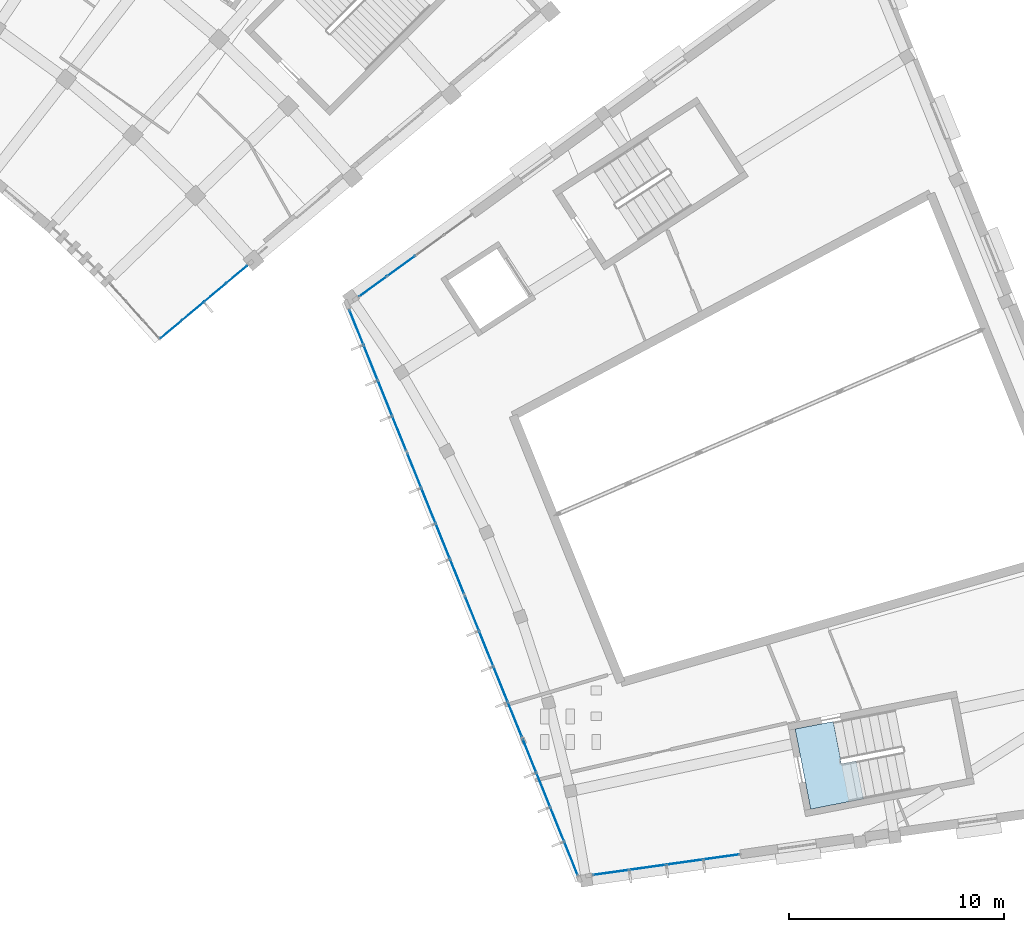
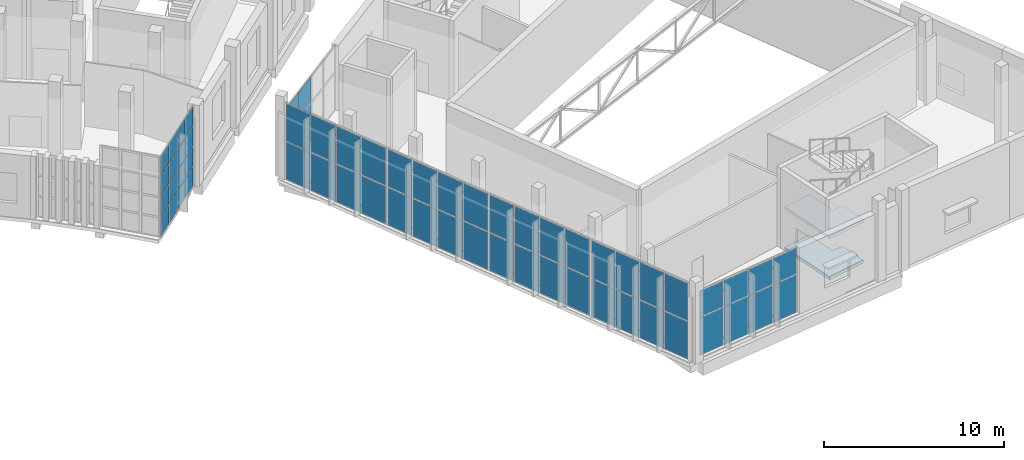
# One storey, part 50 of 112: 60 plates, 2 slabs, 8 elements without a shape of their own.
"""IFC4 building model written with IfcOpenShell, lengths in metres."""

from ifc_helpers import new_model, si_unit, direction, frame, origin, origin_2d, place, context, subcontext, project, spatial, polyline, rectangle, outline, extrude, material, layer, layer_set, type_object, element, aggregate, save


model = new_model("IFC4")

# Units and contexts
model_context = context("Model", 3, precision=1e-05, world=origin(), true_north=direction((0.0, 1.0)))
body_context = subcontext(model_context, "Body", "Model", "MODEL_VIEW")
ifc_project = project(units=[si_unit("LENGTHUNIT", "METRE"), si_unit("AREAUNIT", "SQUARE_METRE"), si_unit("VOLUMEUNIT", "CUBIC_METRE"), si_unit("PLANEANGLEUNIT", "RADIAN"), si_unit("MASSUNIT", "GRAM", prefix="KILO")], contexts=[model_context])

# Site, building, storey
site_placement = place(None, origin())
site = spatial("IfcSite", under=ifc_project, at=site_placement, CompositionType="ELEMENT")
building_placement = place(site_placement, origin())
building = spatial("IfcBuilding", under=site, at=building_placement, Name="Lunette Opera House", CompositionType="ELEMENT")
storey_placement = place(building_placement, frame((0.0, 0.0, 6.0)))
storey = spatial("IfcBuildingStorey", under=building, at=storey_placement, Name="L01", CompositionType="ELEMENT", Elevation=6.0)

# Slab
ifc_material_1 = material(Name="Concrete C35/45", Category="concrete")
ifc_layer_1 = layer(ifc_material_1, 0.219970703125)
ifc_layer_set_1 = layer_set([ifc_layer_1], Name="Concrete C35/45")
slab_type_1 = type_object("IfcSlabType", Name="CORE LANDING SLAB 220", PredefinedType="LANDING", material=ifc_layer_set_1)
slab_1_placement = place(storey_placement, frame((0.0, 0.0, -0.219970703125)))
element("IfcSlab", 1, at=slab_1_placement, inside=storey, type_object=slab_type_1, Name="ST22 floor landing", PredefinedType="LANDING", context=body_context, shape_type="SweptSolid", body=[
    extrude(outline(polyline([(166.35205078125, 11.739990234375), (165.626953125, 15.469970703125), (167.404052734375, 15.81494140625), (167.748046875, 14.048095703125), (167.738037109375, 14.0458984375), (167.77587890625, 13.85009765625), (168.462890625, 13.98388671875), (168.805908203125, 12.217041015625), (166.35205078125, 11.739990234375)])), origin(), (0.0, 0.0, 1.0), 0.219970703125),
])

# Curtain wall, plates
ifc_material_2 = material(Name="Aluminium", Category="aluminium")
ifc_layer_2 = layer(ifc_material_2, 0.159912109375)
ifc_layer_set_2 = layer_set([ifc_layer_2], Name="Aluminium")
curtain_wall_type_1 = type_object("IfcCurtainWallType", Name="CORNER CURTAIN WALL", PredefinedType="NOTDEFINED", material=ifc_layer_set_2)
curtain_wall_1_placement = place(storey_placement, origin())
curtain_wall_1 = element("IfcCurtainWall", 2, at=curtain_wall_1_placement, inside=storey, type_object=curtain_wall_type_1, Name="Corner Curtain Wall GC-E2 L01", PredefinedType="NOTDEFINED")
ifc_material_3 = material(Name="Laminated glass", Category="glass")
ifc_layer_3 = layer(ifc_material_3, 0.028076171875)
ifc_layer_set_3 = layer_set([ifc_layer_3], Name="Laminated glass")
plate_type = type_object("IfcPlateType", Name="CURTAIN PANEL LAMINATED GLASS 28", PredefinedType="CURTAIN_PANEL", material=ifc_layer_set_3)
plate_1_placement = place(storey_placement, frame((136.587646484375, 34.0576171875, 0.06005859375), z_axis=(0.0, 0.0, 1.0), x_axis=(0.766010413212, 0.64282816277, 0.0)))
plate_1 = element("IfcPlate", 3, at=plate_1_placement, type_object=plate_type, Name="FC-X2174 panel 1.1", PredefinedType="CURTAIN_PANEL", context=body_context, shape_type="SweptSolid", body=[
    extrude(rectangle(XDim=1.24755859375, YDim=0.028076171875, at=origin_2d()), origin(), (0.0, 0.0, 1.0), 1.284912109375),
])
plate_2_placement = place(storey_placement, frame((136.587646484375, 34.0576171875, 1.405029296875), z_axis=(0.0, 0.0, 1.0), x_axis=(0.766010413212, 0.64282816277, 0.0)))
plate_2 = element("IfcPlate", 4, at=plate_2_placement, type_object=plate_type, Name="FC-X2174 panel 1.2", PredefinedType="CURTAIN_PANEL", context=body_context, shape_type="SweptSolid", body=[
    extrude(rectangle(XDim=1.24755859375, YDim=0.028076171875, at=origin_2d()), origin(), (0.0, 0.0, 1.0), 1.31494140625),
])
plate_3_placement = place(storey_placement, frame((136.587646484375, 34.0576171875, 2.780029296875), z_axis=(0.0, 0.0, 1.0), x_axis=(0.766010413212, 0.64282816277, 0.0)))
plate_3 = element("IfcPlate", 5, at=plate_3_placement, type_object=plate_type, Name="FC-X2174 panel 1.3", PredefinedType="CURTAIN_PANEL", context=body_context, shape_type="SweptSolid", body=[
    extrude(rectangle(XDim=1.24755859375, YDim=0.028076171875, at=origin_2d()), origin(), (0.0, 0.0, 1.0), 1.31494140625),
])
plate_4_placement = place(storey_placement, frame((136.587646484375, 34.0576171875, 4.1552734375), z_axis=(0.0, 0.0, 1.0), x_axis=(0.766010413212, 0.64282816277, 0.0)))
plate_4 = element("IfcPlate", 6, at=plate_4_placement, type_object=plate_type, Name="FC-X2174 panel 1.4", PredefinedType="CURTAIN_PANEL", context=body_context, shape_type="SweptSolid", body=[
    extrude(rectangle(XDim=1.24755859375, YDim=0.028076171875, at=origin_2d()), origin(), (0.0, 0.0, 1.0), 1.284912109375),
])
plate_5_placement = place(storey_placement, frame((137.600830078125, 34.90771484375, 0.06005859375), z_axis=(0.0, 0.0, 1.0), x_axis=(0.766010413212, 0.64282816277, 0.0)))
plate_5 = element("IfcPlate", 7, at=plate_5_placement, type_object=plate_type, Name="FC-X2174 panel 2.1", PredefinedType="CURTAIN_PANEL", context=body_context, shape_type="SweptSolid", body=[
    extrude(rectangle(XDim=1.27734375, YDim=0.028076171875, at=origin_2d()), origin(), (0.0, 0.0, 1.0), 1.284912109375),
])
plate_6_placement = place(storey_placement, frame((137.600830078125, 34.90771484375, 1.405029296875), z_axis=(0.0, 0.0, 1.0), x_axis=(0.766010413212, 0.64282816277, 0.0)))
plate_6 = element("IfcPlate", 8, at=plate_6_placement, type_object=plate_type, Name="FC-X2174 panel 2.2", PredefinedType="CURTAIN_PANEL", context=body_context, shape_type="SweptSolid", body=[
    extrude(rectangle(XDim=1.27734375, YDim=0.028076171875, at=origin_2d()), origin(), (0.0, 0.0, 1.0), 1.31494140625),
])
plate_7_placement = place(storey_placement, frame((137.600830078125, 34.90771484375, 2.780029296875), z_axis=(0.0, 0.0, 1.0), x_axis=(0.766010413212, 0.64282816277, 0.0)))
plate_7 = element("IfcPlate", 9, at=plate_7_placement, type_object=plate_type, Name="FC-X2174 panel 2.3", PredefinedType="CURTAIN_PANEL", context=body_context, shape_type="SweptSolid", body=[
    extrude(rectangle(XDim=1.27734375, YDim=0.028076171875, at=origin_2d()), origin(), (0.0, 0.0, 1.0), 1.31494140625),
])
plate_8_placement = place(storey_placement, frame((137.600830078125, 34.90771484375, 4.1552734375), z_axis=(0.0, 0.0, 1.0), x_axis=(0.766010413212, 0.64282816277, 0.0)))
plate_8 = element("IfcPlate", 10, at=plate_8_placement, type_object=plate_type, Name="FC-X2174 panel 2.4", PredefinedType="CURTAIN_PANEL", context=body_context, shape_type="SweptSolid", body=[
    extrude(rectangle(XDim=1.27734375, YDim=0.028076171875, at=origin_2d()), origin(), (0.0, 0.0, 1.0), 1.284912109375),
])
plate_9_placement = place(storey_placement, frame((138.625244140625, 35.767333984375, 0.06005859375), z_axis=(0.0, 0.0, 1.0), x_axis=(0.766010413212, 0.64282816277, 0.0)))
plate_9 = element("IfcPlate", 11, at=plate_9_placement, type_object=plate_type, Name="FC-X2174 panel 3.1", PredefinedType="CURTAIN_PANEL", context=body_context, shape_type="SweptSolid", body=[
    extrude(rectangle(XDim=1.27734375, YDim=0.028076171875, at=origin_2d()), origin(), (0.0, 0.0, 1.0), 1.284912109375),
])
plate_10_placement = place(storey_placement, frame((138.625244140625, 35.767333984375, 1.405029296875), z_axis=(0.0, 0.0, 1.0), x_axis=(0.766010413212, 0.64282816277, 0.0)))
plate_10 = element("IfcPlate", 12, at=plate_10_placement, type_object=plate_type, Name="FC-X2174 panel 3.2", PredefinedType="CURTAIN_PANEL", context=body_context, shape_type="SweptSolid", body=[
    extrude(rectangle(XDim=1.27734375, YDim=0.028076171875, at=origin_2d()), origin(), (0.0, 0.0, 1.0), 1.31494140625),
])
plate_11_placement = place(storey_placement, frame((138.625244140625, 35.767333984375, 2.780029296875), z_axis=(0.0, 0.0, 1.0), x_axis=(0.766010413212, 0.64282816277, 0.0)))
plate_11 = element("IfcPlate", 13, at=plate_11_placement, type_object=plate_type, Name="FC-X2174 panel 3.3", PredefinedType="CURTAIN_PANEL", context=body_context, shape_type="SweptSolid", body=[
    extrude(rectangle(XDim=1.27734375, YDim=0.028076171875, at=origin_2d()), origin(), (0.0, 0.0, 1.0), 1.31494140625),
])
plate_12_placement = place(storey_placement, frame((138.625244140625, 35.767333984375, 4.1552734375), z_axis=(0.0, 0.0, 1.0), x_axis=(0.766010413212, 0.64282816277, 0.0)))
plate_12 = element("IfcPlate", 14, at=plate_12_placement, type_object=plate_type, Name="FC-X2174 panel 3.4", PredefinedType="CURTAIN_PANEL", context=body_context, shape_type="SweptSolid", body=[
    extrude(rectangle(XDim=1.27734375, YDim=0.028076171875, at=origin_2d()), origin(), (0.0, 0.0, 1.0), 1.284912109375),
])
plate_13_placement = place(storey_placement, frame((139.63818359375, 36.617431640625, 0.06005859375), z_axis=(0.0, 0.0, 1.0), x_axis=(0.766010413212, 0.64282816277, 0.0)))
plate_13 = element("IfcPlate", 15, at=plate_13_placement, type_object=plate_type, Name="FC-X2174 panel 4.1", PredefinedType="CURTAIN_PANEL", context=body_context, shape_type="SweptSolid", body=[
    extrude(rectangle(XDim=1.24755859375, YDim=0.028076171875, at=origin_2d()), origin(), (0.0, 0.0, 1.0), 1.284912109375),
])
plate_14_placement = place(storey_placement, frame((139.63818359375, 36.617431640625, 1.405029296875), z_axis=(0.0, 0.0, 1.0), x_axis=(0.766010413212, 0.64282816277, 0.0)))
plate_14 = element("IfcPlate", 16, at=plate_14_placement, type_object=plate_type, Name="FC-X2174 panel 4.2", PredefinedType="CURTAIN_PANEL", context=body_context, shape_type="SweptSolid", body=[
    extrude(rectangle(XDim=1.24755859375, YDim=0.028076171875, at=origin_2d()), origin(), (0.0, 0.0, 1.0), 1.31494140625),
])
plate_15_placement = place(storey_placement, frame((139.63818359375, 36.617431640625, 2.780029296875), z_axis=(0.0, 0.0, 1.0), x_axis=(0.766010413212, 0.64282816277, 0.0)))
plate_15 = element("IfcPlate", 17, at=plate_15_placement, type_object=plate_type, Name="FC-X2174 panel 4.3", PredefinedType="CURTAIN_PANEL", context=body_context, shape_type="SweptSolid", body=[
    extrude(rectangle(XDim=1.24755859375, YDim=0.028076171875, at=origin_2d()), origin(), (0.0, 0.0, 1.0), 1.31494140625),
])
plate_16_placement = place(storey_placement, frame((139.63818359375, 36.617431640625, 4.1552734375), z_axis=(0.0, 0.0, 1.0), x_axis=(0.766010413212, 0.64282816277, 0.0)))
plate_16 = element("IfcPlate", 18, at=plate_16_placement, type_object=plate_type, Name="FC-X2174 panel 4.4", PredefinedType="CURTAIN_PANEL", context=body_context, shape_type="SweptSolid", body=[
    extrude(rectangle(XDim=1.24755859375, YDim=0.028076171875, at=origin_2d()), origin(), (0.0, 0.0, 1.0), 1.284912109375),
])
aggregate(curtain_wall_1, [plate_1, plate_2, plate_3, plate_4, plate_5, plate_6, plate_7, plate_8, plate_9, plate_10, plate_11, plate_12, plate_13, plate_14, plate_15, plate_16])

ifc_material_4 = material(Name="Aluminium", Category="aluminium")
ifc_layer_4 = layer(ifc_material_4, 0.139892578125)
ifc_layer_set_4 = layer_set([ifc_layer_4], Name="Aluminium")
curtain_wall_type_2 = type_object("IfcCurtainWallType", Name="STUDIO CURTAIN WALL", PredefinedType="NOTDEFINED", material=ifc_layer_set_4)
curtain_wall_2_placement = place(storey_placement, origin())
curtain_wall_2 = element("IfcCurtainWall", 19, at=curtain_wall_2_placement, inside=storey, type_object=curtain_wall_type_2, Name="Studio Curtain Wall F05 L01", PredefinedType="NOTDEFINED")
plate_17_placement = place(storey_placement, frame((145.21630859375, 34.156982421875, 0.06005859375), z_axis=(0.0, 0.0, 1.0), x_axis=(0.37464584491, -0.927167994967, 0.0)))
plate_17 = element("IfcPlate", 20, at=plate_17_placement, type_object=plate_type, Name="SB-X2008 panel 1.1", PredefinedType="CURTAIN_PANEL", context=body_context, shape_type="SweptSolid", body=[
    extrude(rectangle(XDim=1.6962890625, YDim=0.028076171875, at=origin_2d()), origin(), (0.0, 0.0, 1.0), 2.550048828125),
])
plate_18_placement = place(storey_placement, frame((145.21630859375, 34.156982421875, 2.669921875), z_axis=(0.0, 0.0, 1.0), x_axis=(0.37464584491, -0.927167994967, 0.0)))
plate_18 = element("IfcPlate", 21, at=plate_18_placement, type_object=plate_type, Name="SB-X2008 panel 1.2", PredefinedType="CURTAIN_PANEL", context=body_context, shape_type="SweptSolid", body=[
    extrude(rectangle(XDim=1.6962890625, YDim=0.028076171875, at=origin_2d()), origin(), (0.0, 0.0, 1.0), 2.550048828125),
])
plate_19_placement = place(storey_placement, frame((145.8798828125, 32.5146484375, 0.06005859375), z_axis=(0.0, 0.0, 1.0), x_axis=(0.37464584491, -0.927167994967, 0.0)))
plate_19 = element("IfcPlate", 22, at=plate_19_placement, type_object=plate_type, Name="SB-X2008 panel 2.1", PredefinedType="CURTAIN_PANEL", context=body_context, shape_type="SweptSolid", body=[
    extrude(rectangle(XDim=1.726318359375, YDim=0.028076171875, at=origin_2d()), origin(), (0.0, 0.0, 1.0), 2.550048828125),
])
plate_20_placement = place(storey_placement, frame((145.8798828125, 32.5146484375, 2.669921875), z_axis=(0.0, 0.0, 1.0), x_axis=(0.37464584491, -0.927167994967, 0.0)))
plate_20 = element("IfcPlate", 23, at=plate_20_placement, type_object=plate_type, Name="SB-X2008 panel 2.2", PredefinedType="CURTAIN_PANEL", context=body_context, shape_type="SweptSolid", body=[
    extrude(rectangle(XDim=1.726318359375, YDim=0.028076171875, at=origin_2d()), origin(), (0.0, 0.0, 1.0), 2.550048828125),
])
plate_21_placement = place(storey_placement, frame((146.549072265625, 30.8583984375, 0.06005859375), z_axis=(0.0, 0.0, 1.0), x_axis=(0.37464584491, -0.927167994967, 0.0)))
plate_21 = element("IfcPlate", 24, at=plate_21_placement, type_object=plate_type, Name="SB-X2008 panel 3.1", PredefinedType="CURTAIN_PANEL", context=body_context, shape_type="SweptSolid", body=[
    extrude(rectangle(XDim=1.726318359375, YDim=0.028076171875, at=origin_2d()), origin(), (0.0, 0.0, 1.0), 2.550048828125),
])
plate_22_placement = place(storey_placement, frame((146.549072265625, 30.8583984375, 2.669921875), z_axis=(0.0, 0.0, 1.0), x_axis=(0.37464584491, -0.927167994967, 0.0)))
plate_22 = element("IfcPlate", 25, at=plate_22_placement, type_object=plate_type, Name="SB-X2008 panel 3.2", PredefinedType="CURTAIN_PANEL", context=body_context, shape_type="SweptSolid", body=[
    extrude(rectangle(XDim=1.726318359375, YDim=0.028076171875, at=origin_2d()), origin(), (0.0, 0.0, 1.0), 2.550048828125),
])
plate_23_placement = place(storey_placement, frame((147.212646484375, 29.216064453125, 0.06005859375), z_axis=(0.0, 0.0, 1.0), x_axis=(0.37464584491, -0.927167994967, 0.0)))
plate_23 = element("IfcPlate", 26, at=plate_23_placement, type_object=plate_type, Name="SB-X2008 panel 4.1", PredefinedType="CURTAIN_PANEL", context=body_context, shape_type="SweptSolid", body=[
    extrude(rectangle(XDim=1.6962890625, YDim=0.028076171875, at=origin_2d()), origin(), (0.0, 0.0, 1.0), 2.550048828125),
])
plate_24_placement = place(storey_placement, frame((147.212646484375, 29.216064453125, 2.669921875), z_axis=(0.0, 0.0, 1.0), x_axis=(0.37464584491, -0.927167994967, 0.0)))
plate_24 = element("IfcPlate", 27, at=plate_24_placement, type_object=plate_type, Name="SB-X2008 panel 4.2", PredefinedType="CURTAIN_PANEL", context=body_context, shape_type="SweptSolid", body=[
    extrude(rectangle(XDim=1.6962890625, YDim=0.028076171875, at=origin_2d()), origin(), (0.0, 0.0, 1.0), 2.550048828125),
])
aggregate(curtain_wall_2, [plate_17, plate_18, plate_19, plate_20, plate_21, plate_22, plate_23, plate_24])

curtain_wall_3_placement = place(storey_placement, origin())
curtain_wall_3 = element("IfcCurtainWall", 28, at=curtain_wall_3_placement, inside=storey, type_object=curtain_wall_type_2, Name="Studio Curtain Wall F06 L01", PredefinedType="NOTDEFINED")
plate_25_placement = place(storey_placement, frame((147.904296875, 27.50390625, 0.06005859375), z_axis=(0.0, 0.0, 1.0), x_axis=(0.374597237762, -0.927187634441, 0.0)))
plate_25 = element("IfcPlate", 29, at=plate_25_placement, type_object=plate_type, Name="SB-X2009 panel 1.1", PredefinedType="CURTAIN_PANEL", context=body_context, shape_type="SweptSolid", body=[
    extrude(rectangle(XDim=1.696533203125, YDim=0.028076171875, at=origin_2d()), origin(), (0.0, 0.0, 1.0), 2.550048828125),
])
plate_26_placement = place(storey_placement, frame((147.904296875, 27.50390625, 2.669921875), z_axis=(0.0, 0.0, 1.0), x_axis=(0.374597237762, -0.927187634441, 0.0)))
plate_26 = element("IfcPlate", 30, at=plate_26_placement, type_object=plate_type, Name="SB-X2009 panel 1.2", PredefinedType="CURTAIN_PANEL", context=body_context, shape_type="SweptSolid", body=[
    extrude(rectangle(XDim=1.696533203125, YDim=0.028076171875, at=origin_2d()), origin(), (0.0, 0.0, 1.0), 2.550048828125),
])
plate_27_placement = place(storey_placement, frame((148.56787109375, 25.861328125, 0.06005859375), z_axis=(0.0, 0.0, 1.0), x_axis=(0.374597237762, -0.927187634441, 0.0)))
plate_27 = element("IfcPlate", 31, at=plate_27_placement, type_object=plate_type, Name="SB-X2009 panel 2.1", PredefinedType="CURTAIN_PANEL", context=body_context, shape_type="SweptSolid", body=[
    extrude(rectangle(XDim=1.7265625, YDim=0.028076171875, at=origin_2d()), origin(), (0.0, 0.0, 1.0), 2.550048828125),
])
plate_28_placement = place(storey_placement, frame((148.56787109375, 25.861328125, 2.669921875), z_axis=(0.0, 0.0, 1.0), x_axis=(0.374597237762, -0.927187634441, 0.0)))
plate_28 = element("IfcPlate", 32, at=plate_28_placement, type_object=plate_type, Name="SB-X2009 panel 2.2", PredefinedType="CURTAIN_PANEL", context=body_context, shape_type="SweptSolid", body=[
    extrude(rectangle(XDim=1.7265625, YDim=0.028076171875, at=origin_2d()), origin(), (0.0, 0.0, 1.0), 2.550048828125),
])
plate_29_placement = place(storey_placement, frame((149.237060546875, 24.204833984375, 0.06005859375), z_axis=(0.0, 0.0, 1.0), x_axis=(0.374597237762, -0.927187634441, 0.0)))
plate_29 = element("IfcPlate", 33, at=plate_29_placement, type_object=plate_type, Name="SB-X2009 panel 3.1", PredefinedType="CURTAIN_PANEL", context=body_context, shape_type="SweptSolid", body=[
    extrude(rectangle(XDim=1.7265625, YDim=0.028076171875, at=origin_2d()), origin(), (0.0, 0.0, 1.0), 2.550048828125),
])
plate_30_placement = place(storey_placement, frame((149.237060546875, 24.204833984375, 2.669921875), z_axis=(0.0, 0.0, 1.0), x_axis=(0.374597237762, -0.927187634441, 0.0)))
plate_30 = element("IfcPlate", 34, at=plate_30_placement, type_object=plate_type, Name="SB-X2009 panel 3.2", PredefinedType="CURTAIN_PANEL", context=body_context, shape_type="SweptSolid", body=[
    extrude(rectangle(XDim=1.7265625, YDim=0.028076171875, at=origin_2d()), origin(), (0.0, 0.0, 1.0), 2.550048828125),
])
plate_31_placement = place(storey_placement, frame((149.900634765625, 22.562255859375, 0.06005859375), z_axis=(0.0, 0.0, 1.0), x_axis=(0.374597237762, -0.927187634441, 0.0)))
plate_31 = element("IfcPlate", 35, at=plate_31_placement, type_object=plate_type, Name="SB-X2009 panel 4.1", PredefinedType="CURTAIN_PANEL", context=body_context, shape_type="SweptSolid", body=[
    extrude(rectangle(XDim=1.696533203125, YDim=0.028076171875, at=origin_2d()), origin(), (0.0, 0.0, 1.0), 2.550048828125),
])
plate_32_placement = place(storey_placement, frame((149.900634765625, 22.562255859375, 2.669921875), z_axis=(0.0, 0.0, 1.0), x_axis=(0.374597237762, -0.927187634441, 0.0)))
plate_32 = element("IfcPlate", 36, at=plate_32_placement, type_object=plate_type, Name="SB-X2009 panel 4.2", PredefinedType="CURTAIN_PANEL", context=body_context, shape_type="SweptSolid", body=[
    extrude(rectangle(XDim=1.696533203125, YDim=0.028076171875, at=origin_2d()), origin(), (0.0, 0.0, 1.0), 2.550048828125),
])
aggregate(curtain_wall_3, [plate_25, plate_26, plate_27, plate_28, plate_29, plate_30, plate_31, plate_32])

curtain_wall_4_placement = place(storey_placement, origin())
curtain_wall_4 = element("IfcCurtainWall", 37, at=curtain_wall_4_placement, inside=storey, type_object=curtain_wall_type_2, Name="Studio Curtain Wall F07 L01", PredefinedType="NOTDEFINED")
plate_33_placement = place(storey_placement, frame((150.59228515625, 20.849853515625, 0.06005859375), z_axis=(0.0, 0.0, 1.0), x_axis=(0.37464584491, -0.927167994967, 0.0)))
plate_33 = element("IfcPlate", 38, at=plate_33_placement, type_object=plate_type, Name="SB-X2010 panel 1.1", PredefinedType="CURTAIN_PANEL", context=body_context, shape_type="SweptSolid", body=[
    extrude(rectangle(XDim=1.6962890625, YDim=0.028076171875, at=origin_2d()), origin(), (0.0, 0.0, 1.0), 2.550048828125),
])
plate_34_placement = place(storey_placement, frame((150.59228515625, 20.849853515625, 2.669921875), z_axis=(0.0, 0.0, 1.0), x_axis=(0.37464584491, -0.927167994967, 0.0)))
plate_34 = element("IfcPlate", 39, at=plate_34_placement, type_object=plate_type, Name="SB-X2010 panel 1.2", PredefinedType="CURTAIN_PANEL", context=body_context, shape_type="SweptSolid", body=[
    extrude(rectangle(XDim=1.6962890625, YDim=0.028076171875, at=origin_2d()), origin(), (0.0, 0.0, 1.0), 2.550048828125),
])
plate_35_placement = place(storey_placement, frame((151.255859375, 19.20751953125, 0.06005859375), z_axis=(0.0, 0.0, 1.0), x_axis=(0.37464584491, -0.927167994967, 0.0)))
plate_35 = element("IfcPlate", 40, at=plate_35_placement, type_object=plate_type, Name="SB-X2010 panel 2.1", PredefinedType="CURTAIN_PANEL", context=body_context, shape_type="SweptSolid", body=[
    extrude(rectangle(XDim=1.726318359375, YDim=0.028076171875, at=origin_2d()), origin(), (0.0, 0.0, 1.0), 2.550048828125),
])
plate_36_placement = place(storey_placement, frame((151.255859375, 19.20751953125, 2.669921875), z_axis=(0.0, 0.0, 1.0), x_axis=(0.37464584491, -0.927167994967, 0.0)))
plate_36 = element("IfcPlate", 41, at=plate_36_placement, type_object=plate_type, Name="SB-X2010 panel 2.2", PredefinedType="CURTAIN_PANEL", context=body_context, shape_type="SweptSolid", body=[
    extrude(rectangle(XDim=1.726318359375, YDim=0.028076171875, at=origin_2d()), origin(), (0.0, 0.0, 1.0), 2.550048828125),
])
plate_37_placement = place(storey_placement, frame((151.925048828125, 17.55126953125, 0.06005859375), z_axis=(0.0, 0.0, 1.0), x_axis=(0.37464584491, -0.927167994967, 0.0)))
plate_37 = element("IfcPlate", 42, at=plate_37_placement, type_object=plate_type, Name="SB-X2010 panel 3.1", PredefinedType="CURTAIN_PANEL", context=body_context, shape_type="SweptSolid", body=[
    extrude(rectangle(XDim=1.726318359375, YDim=0.028076171875, at=origin_2d()), origin(), (0.0, 0.0, 1.0), 2.550048828125),
])
plate_38_placement = place(storey_placement, frame((151.925048828125, 17.55126953125, 2.669921875), z_axis=(0.0, 0.0, 1.0), x_axis=(0.37464584491, -0.927167994967, 0.0)))
plate_38 = element("IfcPlate", 43, at=plate_38_placement, type_object=plate_type, Name="SB-X2010 panel 3.2", PredefinedType="CURTAIN_PANEL", context=body_context, shape_type="SweptSolid", body=[
    extrude(rectangle(XDim=1.726318359375, YDim=0.028076171875, at=origin_2d()), origin(), (0.0, 0.0, 1.0), 2.550048828125),
])
plate_39_placement = place(storey_placement, frame((152.5888671875, 15.908935546875, 0.06005859375), z_axis=(0.0, 0.0, 1.0), x_axis=(0.37464584491, -0.927167994967, 0.0)))
plate_39 = element("IfcPlate", 44, at=plate_39_placement, type_object=plate_type, Name="SB-X2010 panel 4.1", PredefinedType="CURTAIN_PANEL", context=body_context, shape_type="SweptSolid", body=[
    extrude(rectangle(XDim=1.6962890625, YDim=0.028076171875, at=origin_2d()), origin(), (0.0, 0.0, 1.0), 2.550048828125),
])
plate_40_placement = place(storey_placement, frame((152.5888671875, 15.908935546875, 2.669921875), z_axis=(0.0, 0.0, 1.0), x_axis=(0.37464584491, -0.927167994967, 0.0)))
plate_40 = element("IfcPlate", 45, at=plate_40_placement, type_object=plate_type, Name="SB-X2010 panel 4.2", PredefinedType="CURTAIN_PANEL", context=body_context, shape_type="SweptSolid", body=[
    extrude(rectangle(XDim=1.6962890625, YDim=0.028076171875, at=origin_2d()), origin(), (0.0, 0.0, 1.0), 2.550048828125),
])
aggregate(curtain_wall_4, [plate_33, plate_34, plate_35, plate_36, plate_37, plate_38, plate_39, plate_40])

curtain_wall_5_placement = place(storey_placement, origin())
curtain_wall_5 = element("IfcCurtainWall", 46, at=curtain_wall_5_placement, inside=storey, type_object=curtain_wall_type_2, Name="Studio Curtain Wall F08 L01", PredefinedType="NOTDEFINED")
plate_41_placement = place(storey_placement, frame((153.26904296875, 14.224609375, 0.06005859375), z_axis=(0.0, 0.0, 1.0), x_axis=(0.374609092545, -0.927182844849, 0.0)))
plate_41 = element("IfcPlate", 47, at=plate_41_placement, type_object=plate_type, Name="SB-X2011 panel 1.1", PredefinedType="CURTAIN_PANEL", context=body_context, shape_type="SweptSolid", body=[
    extrude(rectangle(XDim=1.636474609375, YDim=0.028076171875, at=origin_2d()), origin(), (0.0, 0.0, 1.0), 2.550048828125),
])
plate_42_placement = place(storey_placement, frame((153.26904296875, 14.224609375, 2.669921875), z_axis=(0.0, 0.0, 1.0), x_axis=(0.374609092545, -0.927182844849, 0.0)))
plate_42 = element("IfcPlate", 48, at=plate_42_placement, type_object=plate_type, Name="SB-X2011 panel 1.2", PredefinedType="CURTAIN_PANEL", context=body_context, shape_type="SweptSolid", body=[
    extrude(rectangle(XDim=1.636474609375, YDim=0.028076171875, at=origin_2d()), origin(), (0.0, 0.0, 1.0), 2.550048828125),
])
plate_43_placement = place(storey_placement, frame((153.91015625, 12.637939453125, 0.06005859375), z_axis=(0.0, 0.0, 1.0), x_axis=(0.374609092545, -0.927182844849, 0.0)))
plate_43 = element("IfcPlate", 49, at=plate_43_placement, type_object=plate_type, Name="SB-X2011 panel 2.1", PredefinedType="CURTAIN_PANEL", context=body_context, shape_type="SweptSolid", body=[
    extrude(rectangle(XDim=1.66650390625, YDim=0.028076171875, at=origin_2d()), origin(), (0.0, 0.0, 1.0), 2.550048828125),
])
plate_44_placement = place(storey_placement, frame((153.91015625, 12.637939453125, 2.669921875), z_axis=(0.0, 0.0, 1.0), x_axis=(0.374609092545, -0.927182844849, 0.0)))
plate_44 = element("IfcPlate", 50, at=plate_44_placement, type_object=plate_type, Name="SB-X2011 panel 2.2", PredefinedType="CURTAIN_PANEL", context=body_context, shape_type="SweptSolid", body=[
    extrude(rectangle(XDim=1.66650390625, YDim=0.028076171875, at=origin_2d()), origin(), (0.0, 0.0, 1.0), 2.550048828125),
])
plate_45_placement = place(storey_placement, frame((154.556884765625, 11.037109375, 0.06005859375), z_axis=(0.0, 0.0, 1.0), x_axis=(0.374609092545, -0.927182844849, 0.0)))
plate_45 = element("IfcPlate", 51, at=plate_45_placement, type_object=plate_type, Name="SB-X2011 panel 3.1", PredefinedType="CURTAIN_PANEL", context=body_context, shape_type="SweptSolid", body=[
    extrude(rectangle(XDim=1.66650390625, YDim=0.028076171875, at=origin_2d()), origin(), (0.0, 0.0, 1.0), 2.550048828125),
])
plate_46_placement = place(storey_placement, frame((154.556884765625, 11.037109375, 2.669921875), z_axis=(0.0, 0.0, 1.0), x_axis=(0.374609092545, -0.927182844849, 0.0)))
plate_46 = element("IfcPlate", 52, at=plate_46_placement, type_object=plate_type, Name="SB-X2011 panel 3.2", PredefinedType="CURTAIN_PANEL", context=body_context, shape_type="SweptSolid", body=[
    extrude(rectangle(XDim=1.66650390625, YDim=0.028076171875, at=origin_2d()), origin(), (0.0, 0.0, 1.0), 2.550048828125),
])
plate_47_placement = place(storey_placement, frame((155.197998046875, 9.4501953125, 0.06005859375), z_axis=(0.0, 0.0, 1.0), x_axis=(0.374609092545, -0.927182844849, 0.0)))
plate_47 = element("IfcPlate", 53, at=plate_47_placement, type_object=plate_type, Name="SB-X2011 panel 4.1", PredefinedType="CURTAIN_PANEL", context=body_context, shape_type="SweptSolid", body=[
    extrude(rectangle(XDim=1.636474609375, YDim=0.028076171875, at=origin_2d()), origin(), (0.0, 0.0, 1.0), 2.550048828125),
])
plate_48_placement = place(storey_placement, frame((155.197998046875, 9.4501953125, 2.669921875), z_axis=(0.0, 0.0, 1.0), x_axis=(0.374609092545, -0.927182844849, 0.0)))
plate_48 = element("IfcPlate", 54, at=plate_48_placement, type_object=plate_type, Name="SB-X2011 panel 4.2", PredefinedType="CURTAIN_PANEL", context=body_context, shape_type="SweptSolid", body=[
    extrude(rectangle(XDim=1.636474609375, YDim=0.028076171875, at=origin_2d()), origin(), (0.0, 0.0, 1.0), 2.550048828125),
])
aggregate(curtain_wall_5, [plate_41, plate_42, plate_43, plate_44, plate_45, plate_46, plate_47, plate_48])

curtain_wall_6_placement = place(storey_placement, origin())
curtain_wall_6 = element("IfcCurtainWall", 55, at=curtain_wall_6_placement, inside=storey, type_object=curtain_wall_type_2, Name="Studio Curtain Wall F04 L01", PredefinedType="NOTDEFINED")
plate_49_placement = place(storey_placement, frame((147.300048828125, 37.012451171875, 0.06005859375), z_axis=(0.0, 0.0, 1.0), x_axis=(-0.809026920488, -0.587771589927, 0.0)))
plate_49 = element("IfcPlate", 56, at=plate_49_placement, type_object=plate_type, Name="SB-X2007 panel 3.1", PredefinedType="CURTAIN_PANEL", context=body_context, shape_type="SweptSolid", body=[
    extrude(rectangle(XDim=1.574951171875, YDim=0.028076171875, at=origin_2d()), origin(), (0.0, 0.0, 1.0), 2.550048828125),
])
plate_50_placement = place(storey_placement, frame((147.300048828125, 37.012451171875, 2.669921875), z_axis=(0.0, 0.0, 1.0), x_axis=(-0.809026920488, -0.587771589927, 0.0)))
plate_50 = element("IfcPlate", 57, at=plate_50_placement, type_object=plate_type, Name="SB-X2007 panel 3.2", PredefinedType="CURTAIN_PANEL", context=body_context, shape_type="SweptSolid", body=[
    extrude(rectangle(XDim=1.574951171875, YDim=0.028076171875, at=origin_2d()), origin(), (0.0, 0.0, 1.0), 1.75),
])
plate_51_placement = place(storey_placement, frame((145.989501953125, 36.060302734375, 0.06005859375), z_axis=(0.0, 0.0, 1.0), x_axis=(-0.809026920488, -0.587771589927, 0.0)))
plate_51 = element("IfcPlate", 58, at=plate_51_placement, type_object=plate_type, Name="SB-X2007 panel 4.1", PredefinedType="CURTAIN_PANEL", context=body_context, shape_type="SweptSolid", body=[
    extrude(rectangle(XDim=1.544921875, YDim=0.028076171875, at=origin_2d()), origin(), (0.0, 0.0, 1.0), 2.550048828125),
])
plate_52_placement = place(storey_placement, frame((145.989501953125, 36.060302734375, 2.669921875), z_axis=(0.0, 0.0, 1.0), x_axis=(-0.809026920488, -0.587771589927, 0.0)))
plate_52 = element("IfcPlate", 59, at=plate_52_placement, type_object=plate_type, Name="SB-X2007 panel 4.2", PredefinedType="CURTAIN_PANEL", context=body_context, shape_type="SweptSolid", body=[
    extrude(rectangle(XDim=1.544921875, YDim=0.028076171875, at=origin_2d()), origin(), (0.0, 0.0, 1.0), 1.75),
])
aggregate(curtain_wall_6, [plate_49, plate_50, plate_51, plate_52])

curtain_wall_7_placement = place(storey_placement, origin())
curtain_wall_7 = element("IfcCurtainWall", 60, at=curtain_wall_7_placement, inside=storey, type_object=curtain_wall_type_2, Name="Studio Curtain Wall F09 L01", PredefinedType="NOTDEFINED")
plate_53_placement = place(storey_placement, frame((157.060546875, 8.793212890625, 0.06005859375), z_axis=(0.0, 0.0, 1.0), x_axis=(0.990263078154, 0.139208606221, 0.0)))
plate_53 = element("IfcPlate", 61, at=plate_53_placement, type_object=plate_type, Name="SB-X2012 panel 1.1", PredefinedType="CURTAIN_PANEL", context=body_context, shape_type="SweptSolid", body=[
    extrude(rectangle(XDim=1.650146484375, YDim=0.028076171875, at=origin_2d()), origin(), (0.0, 0.0, 1.0), 2.550048828125),
])
plate_54_placement = place(storey_placement, frame((157.060546875, 8.793212890625, 2.669921875), z_axis=(0.0, 0.0, 1.0), x_axis=(0.990263078154, 0.139208606221, 0.0)))
plate_54 = element("IfcPlate", 62, at=plate_54_placement, type_object=plate_type, Name="SB-X2012 panel 1.2", PredefinedType="CURTAIN_PANEL", context=body_context, shape_type="SweptSolid", body=[
    extrude(rectangle(XDim=1.650146484375, YDim=0.028076171875, at=origin_2d()), origin(), (0.0, 0.0, 1.0), 1.75),
])
plate_55_placement = place(storey_placement, frame((158.768798828125, 9.033447265625, 0.06005859375), z_axis=(0.0, 0.0, 1.0), x_axis=(0.990263078154, 0.139208606221, 0.0)))
plate_55 = element("IfcPlate", 63, at=plate_55_placement, type_object=plate_type, Name="SB-X2012 panel 2.1", PredefinedType="CURTAIN_PANEL", context=body_context, shape_type="SweptSolid", body=[
    extrude(rectangle(XDim=1.68017578125, YDim=0.028076171875, at=origin_2d()), origin(), (0.0, 0.0, 1.0), 2.550048828125),
])
plate_56_placement = place(storey_placement, frame((158.768798828125, 9.033447265625, 2.669921875), z_axis=(0.0, 0.0, 1.0), x_axis=(0.990263078154, 0.139208606221, 0.0)))
plate_56 = element("IfcPlate", 64, at=plate_56_placement, type_object=plate_type, Name="SB-X2012 panel 2.2", PredefinedType="CURTAIN_PANEL", context=body_context, shape_type="SweptSolid", body=[
    extrude(rectangle(XDim=1.68017578125, YDim=0.028076171875, at=origin_2d()), origin(), (0.0, 0.0, 1.0), 1.75),
])
plate_57_placement = place(storey_placement, frame((160.4921875, 9.275634765625, 0.06005859375), z_axis=(0.0, 0.0, 1.0), x_axis=(0.990263078154, 0.139208606221, 0.0)))
plate_57 = element("IfcPlate", 65, at=plate_57_placement, type_object=plate_type, Name="SB-X2012 panel 3.1", PredefinedType="CURTAIN_PANEL", context=body_context, shape_type="SweptSolid", body=[
    extrude(rectangle(XDim=1.68017578125, YDim=0.028076171875, at=origin_2d()), origin(), (0.0, 0.0, 1.0), 2.550048828125),
])
plate_58_placement = place(storey_placement, frame((160.4921875, 9.275634765625, 2.669921875), z_axis=(0.0, 0.0, 1.0), x_axis=(0.990263078154, 0.139208606221, 0.0)))
plate_58 = element("IfcPlate", 66, at=plate_58_placement, type_object=plate_type, Name="SB-X2012 panel 3.2", PredefinedType="CURTAIN_PANEL", context=body_context, shape_type="SweptSolid", body=[
    extrude(rectangle(XDim=1.68017578125, YDim=0.028076171875, at=origin_2d()), origin(), (0.0, 0.0, 1.0), 1.75),
])
plate_59_placement = place(storey_placement, frame((162.200439453125, 9.515869140625, 0.06005859375), z_axis=(0.0, 0.0, 1.0), x_axis=(0.990263078154, 0.139208606221, 0.0)))
plate_59 = element("IfcPlate", 67, at=plate_59_placement, type_object=plate_type, Name="SB-X2012 panel 4.1", PredefinedType="CURTAIN_PANEL", context=body_context, shape_type="SweptSolid", body=[
    extrude(rectangle(XDim=1.650146484375, YDim=0.028076171875, at=origin_2d()), origin(), (0.0, 0.0, 1.0), 2.550048828125),
])
plate_60_placement = place(storey_placement, frame((162.200439453125, 9.515869140625, 2.669921875), z_axis=(0.0, 0.0, 1.0), x_axis=(0.990263078154, 0.139208606221, 0.0)))
plate_60 = element("IfcPlate", 68, at=plate_60_placement, type_object=plate_type, Name="SB-X2012 panel 4.2", PredefinedType="CURTAIN_PANEL", context=body_context, shape_type="SweptSolid", body=[
    extrude(rectangle(XDim=1.650146484375, YDim=0.028076171875, at=origin_2d()), origin(), (0.0, 0.0, 1.0), 1.75),
])
aggregate(curtain_wall_7, [plate_53, plate_54, plate_55, plate_56, plate_57, plate_58, plate_59, plate_60])

# Stair, slab
ifc_material_5 = material(Name="Concrete C35/45", Category="concrete")
stair_type = type_object("IfcStairType", Name="DOGLEG STAIR 1800", PredefinedType="HALF_TURN_STAIR", material=ifc_material_5)
stair_placement = place(storey_placement, origin())
stair = element("IfcStair", 69, at=stair_placement, inside=storey, type_object=stair_type, Name="L01 stair ST22", PredefinedType="HALF_TURN_STAIR")
ifc_material_6 = material(Name="Concrete C35/45", Category="concrete")
ifc_layer_5 = layer(ifc_material_6, 0.199951171875)
ifc_layer_set_5 = layer_set([ifc_layer_5], Name="Concrete C35/45")
slab_type_2 = type_object("IfcSlabType", Name="STAIR LANDING SLAB 200", PredefinedType="LANDING", material=ifc_layer_set_5)
slab_2_placement = place(storey_placement, frame((0.0, 0.0, 2.550048828125)))
slab_2 = element("IfcSlab", 70, at=slab_2_placement, type_object=slab_type_2, Name="ST22 landing 2", PredefinedType="LANDING", context=body_context, shape_type="SweptSolid", body=[
    extrude(outline(polyline([(166.35205078125, 11.739990234375), (165.626953125, 15.469970703125), (167.404052734375, 15.81494140625), (167.748046875, 14.048095703125), (167.738037109375, 14.0458984375), (167.77587890625, 13.85009765625), (168.462890625, 13.98388671875), (168.805908203125, 12.217041015625), (166.35205078125, 11.739990234375)])), origin(), (0.0, 0.0, 1.0), 0.199951171875),
])
aggregate(stair, [slab_2])

save(model, "model.ifc")
